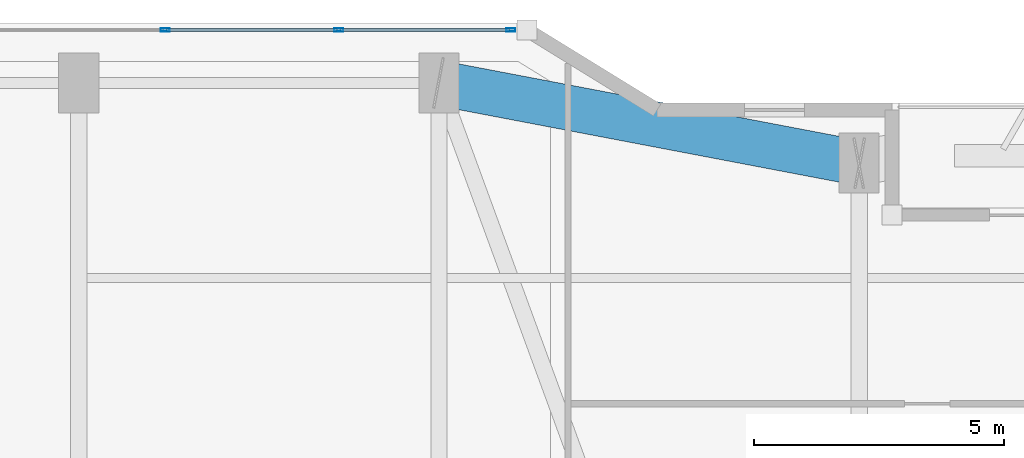
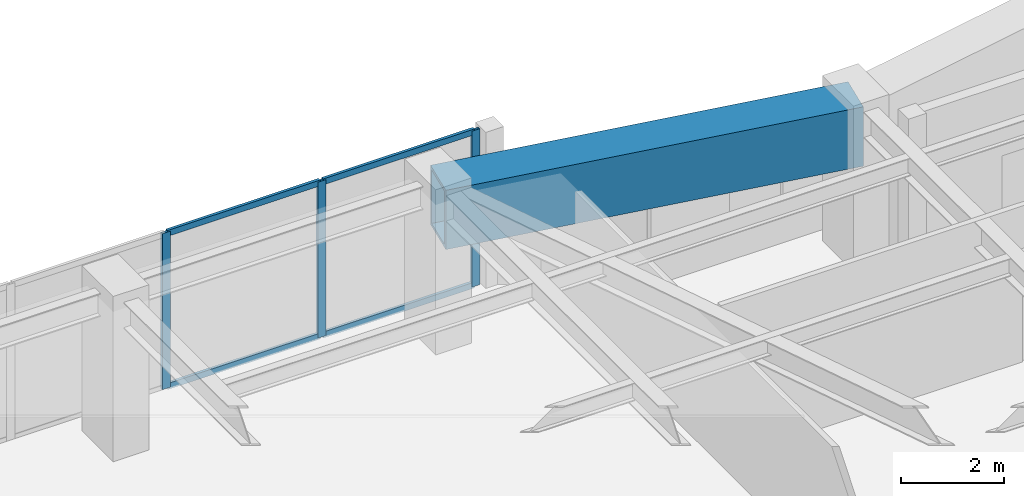
# One storey, part 19 of 30: 7 members, 1 beam, 1 element without a shape of its own.
"""IFC4 building model written with IfcOpenShell, lengths in metres."""

from ifc_helpers import new_model, si_unit, direction, frame, origin, origin_2d, place, context, subcontext, project, spatial, hollow_rectangle, extrude, material, layer, layer_set, material_profile, profile_set, type_object, element, aggregate, save


model = new_model("IFC4")

# Units and contexts
model_context = context("Model", 3, precision=1e-05, world=origin(), true_north=direction((0.0, 1.0)))
body_context = subcontext(model_context, "Body", "Model", "MODEL_VIEW")
ifc_project = project(units=[si_unit("LENGTHUNIT", "METRE"), si_unit("AREAUNIT", "SQUARE_METRE"), si_unit("VOLUMEUNIT", "CUBIC_METRE"), si_unit("PLANEANGLEUNIT", "RADIAN"), si_unit("MASSUNIT", "GRAM", prefix="KILO")], contexts=[model_context])

# Site, building, storey
site_placement = place(None, origin())
site = spatial("IfcSite", under=ifc_project, at=site_placement, CompositionType="ELEMENT")
building_placement = place(site_placement, origin())
building = spatial("IfcBuilding", under=site, at=building_placement, Name="Kiyonajd Concourse Tower", CompositionType="ELEMENT")
storey_placement = place(building_placement, frame((0.0, 0.0, 198.0)))
storey = spatial("IfcBuildingStorey", under=building, at=storey_placement, Name="L50", CompositionType="ELEMENT", Elevation=198.0)

# Beam
ifc_material_1 = material(Name="Steel ASTM A572 Grade 50", Category="steel")
ifc_material_profile_1 = material_profile(ifc_material_1, hollow_rectangle(XDim=0.89990234375, YDim=1.39990234375, WallThickness=0.070068359375, at=origin_2d()), Name="BOX-1400x900x70")
ifc_profile_set_1 = profile_set([ifc_material_profile_1], Name="Steel ASTM A572 Grade 50")
beam_type = type_object("IfcBeamType", Name="BM-XFER-1400", PredefinedType="BEAM", material=ifc_profile_set_1)
beam_placement = place(storey_placement, frame((48.0, 59.60009765625, 2.97998046875), z_axis=(-0.982341315253, 0.187097675953, 0.0), x_axis=(-0.187097675953, -0.982341315253, 0.0)))
element("IfcBeam", 1, at=beam_placement, inside=storey, type_object=beam_type, Name="L50 Perimeter Bundled Tube Spandrel", PredefinedType="BEAM", context=body_context, shape_type="SweptSolid", body=[
    extrude(hollow_rectangle(XDim=0.89990234375, YDim=1.39990234375, WallThickness=0.070068359375, at=origin_2d()), origin(), (0.0, 0.0, 1.0), 8.55078125),
])

# Curtain wall, members
ifc_material_2 = material(Name="Thermally Broken Anodised Aluminium", Category="aluminium")
ifc_layer = layer(ifc_material_2, 0.179931640625)
ifc_layer_set = layer_set([ifc_layer], Name="Thermally Broken Anodised Aluminium")
curtain_wall_type = type_object("IfcCurtainWallType", Name="CW-SYS-03", PredefinedType="NOTDEFINED", material=ifc_layer_set)
curtain_wall_placement = place(storey_placement, origin())
curtain_wall = element("IfcCurtainWall", 2, at=curtain_wall_placement, inside=storey, type_object=curtain_wall_type, Name="L50 Unitised Curtain Wall CW3", PredefinedType="NOTDEFINED")
ifc_material_profile_2 = material_profile(ifc_material_2, hollow_rectangle(XDim=0.06494140625, YDim=0.179931640625, WallThickness=0.00390625, at=origin_2d()), Name="MULL-65x180")
ifc_profile_set_2 = profile_set([ifc_material_profile_2], Name="Thermally Broken Anodised Aluminium")
member_type_1 = type_object("IfcMemberType", Name="MB-CW-MULL1", PredefinedType="MULLION", material=ifc_profile_set_2)
member_1_placement = place(storey_placement, frame((34.12548828125, 62.260009765625, 0.0), z_axis=(0.0, 0.0, 1.0), x_axis=(0.0, 1.0, 0.0)))
member_1 = element("IfcMember", 3, at=member_1_placement, type_object=member_type_1, Name="CW3 mullion 4", PredefinedType="MULLION", context=body_context, shape_type="SweptSolid", body=[
    extrude(hollow_rectangle(XDim=0.06494140625, YDim=0.179931640625, WallThickness=0.00390625, at=origin_2d()), origin(), (0.0, 0.0, 1.0), 3.679931640625),
])
member_2_placement = place(storey_placement, frame((37.597900390625, 62.260009765625, 0.0), z_axis=(0.0, 0.0, 1.0), x_axis=(0.0, 1.0, 0.0)))
member_2 = element("IfcMember", 4, at=member_2_placement, type_object=member_type_1, Name="CW3 mullion 5", PredefinedType="MULLION", context=body_context, shape_type="SweptSolid", body=[
    extrude(hollow_rectangle(XDim=0.06494140625, YDim=0.179931640625, WallThickness=0.00390625, at=origin_2d()), origin(), (0.0, 0.0, 1.0), 3.679931640625),
])
member_3_placement = place(storey_placement, frame((41.037841796875, 62.260009765625, 0.0), z_axis=(0.0, 0.0, 1.0), x_axis=(0.0, 1.0, 0.0)))
member_3 = element("IfcMember", 5, at=member_3_placement, type_object=member_type_1, Name="CW3 mullion 6", PredefinedType="MULLION", context=body_context, shape_type="SweptSolid", body=[
    extrude(hollow_rectangle(XDim=0.06494140625, YDim=0.179931640625, WallThickness=0.00390625, at=origin_2d()), origin(), (0.0, 0.0, 1.0), 3.679931640625),
])
ifc_material_profile_3 = material_profile(ifc_material_2, hollow_rectangle(XDim=0.06494140625, YDim=0.139892578125, WallThickness=0.00390625, at=origin_2d()), Name="TRAN-65x140")
ifc_profile_set_3 = profile_set([ifc_material_profile_3], Name="Thermally Broken Anodised Aluminium")
member_type_2 = type_object("IfcMemberType", Name="MB-CW-TRAN1", PredefinedType="USERDEFINED", material=ifc_profile_set_3)
member_4_placement = place(storey_placement, frame((34.158203125, 62.260009765625, 0.032470703125), z_axis=(1.0, 0.0, 0.0), x_axis=(0.0, 1.0, 0.0)))
member_4 = element("IfcMember", 6, at=member_4_placement, type_object=member_type_2, Name="CW3 transom 4.1", ObjectType="TRANSOM", PredefinedType="USERDEFINED", context=body_context, shape_type="SweptSolid", body=[
    extrude(hollow_rectangle(XDim=0.06494140625, YDim=0.139892578125, WallThickness=0.00390625, at=origin_2d()), origin(), (0.0, 0.0, 1.0), 3.4072265625),
])
member_5_placement = place(storey_placement, frame((34.158203125, 62.260009765625, 3.6474609375), z_axis=(1.0, 0.0, 0.0), x_axis=(0.0, 1.0, 0.0)))
member_5 = element("IfcMember", 7, at=member_5_placement, type_object=member_type_2, Name="CW3 transom 4.2", ObjectType="TRANSOM", PredefinedType="USERDEFINED", context=body_context, shape_type="SweptSolid", body=[
    extrude(hollow_rectangle(XDim=0.06494140625, YDim=0.139892578125, WallThickness=0.00390625, at=origin_2d()), origin(), (0.0, 0.0, 1.0), 3.4072265625),
])
member_6_placement = place(storey_placement, frame((37.630615234375, 62.260009765625, 0.032470703125), z_axis=(1.0, 0.0, 0.0), x_axis=(0.0, 1.0, 0.0)))
member_6 = element("IfcMember", 8, at=member_6_placement, type_object=member_type_2, Name="CW3 transom 5.1", ObjectType="TRANSOM", PredefinedType="USERDEFINED", context=body_context, shape_type="SweptSolid", body=[
    extrude(hollow_rectangle(XDim=0.06494140625, YDim=0.139892578125, WallThickness=0.00390625, at=origin_2d()), origin(), (0.0, 0.0, 1.0), 3.374755859375),
])
member_7_placement = place(storey_placement, frame((37.630615234375, 62.260009765625, 3.6474609375), z_axis=(1.0, 0.0, 0.0), x_axis=(0.0, 1.0, 0.0)))
member_7 = element("IfcMember", 9, at=member_7_placement, type_object=member_type_2, Name="CW3 transom 5.2", ObjectType="TRANSOM", PredefinedType="USERDEFINED", context=body_context, shape_type="SweptSolid", body=[
    extrude(hollow_rectangle(XDim=0.06494140625, YDim=0.139892578125, WallThickness=0.00390625, at=origin_2d()), origin(), (0.0, 0.0, 1.0), 3.374755859375),
])
aggregate(curtain_wall, [member_1, member_2, member_3, member_4, member_5, member_6, member_7])

save(model, "model.ifc")
